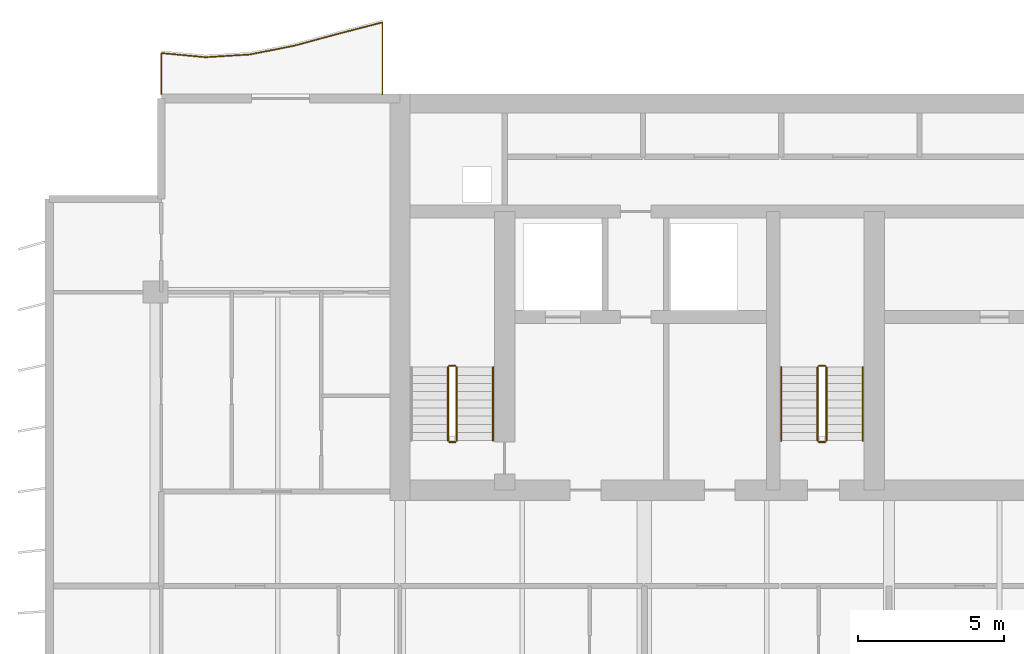
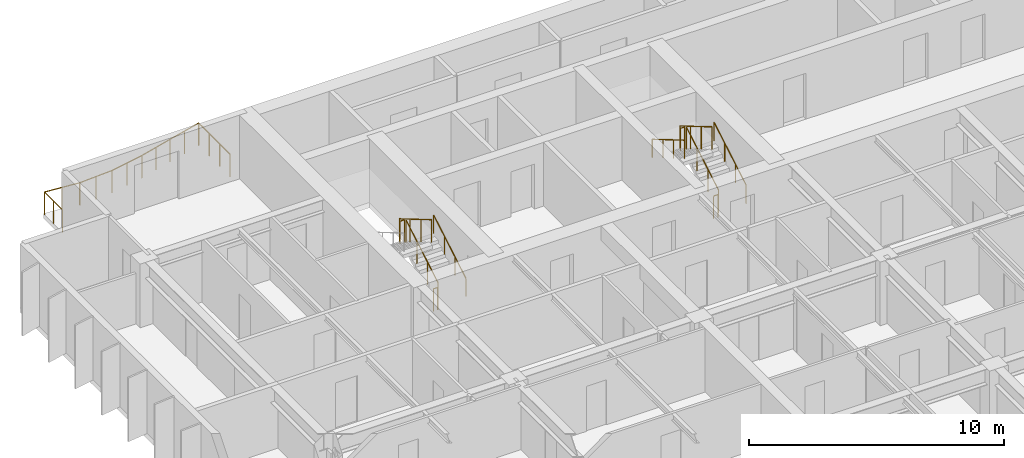
# One storey, part 16 of 18: 12 railings.
"""IFC4 building model written with IfcOpenShell, lengths in metres."""

from ifc_helpers import new_model, si_unit, direction, frame, origin, origin_2d, place, context, subcontext, project, spatial, circle, extrude, material, type_object, element, save


model = new_model("IFC4")

# Units and contexts
model_context = context("Model", 3, precision=1e-05, world=origin(), true_north=direction((0.0, 1.0)))
body_context = subcontext(model_context, "Body", "Model", "MODEL_VIEW")
ifc_project = project(units=[si_unit("LENGTHUNIT", "METRE"), si_unit("AREAUNIT", "SQUARE_METRE"), si_unit("VOLUMEUNIT", "CUBIC_METRE"), si_unit("PLANEANGLEUNIT", "RADIAN"), si_unit("MASSUNIT", "GRAM", prefix="KILO")], contexts=[model_context])

# Site, building, storey
site_placement = place(None, origin())
site = spatial("IfcSite", under=ifc_project, at=site_placement, CompositionType="ELEMENT")
building_placement = place(site_placement, origin())
building = spatial("IfcBuilding", under=site, at=building_placement, Name="Caelmar Bay Residences", CompositionType="ELEMENT")
storey_placement = place(building_placement, frame((0.0, 0.0, 170.39990234375)))
storey = spatial("IfcBuildingStorey", under=building, at=storey_placement, Name="L47", CompositionType="ELEMENT", Elevation=170.39990234375)

# Railings
ifc_material_1 = material(Name="Anodised bronze handrail with laminated hurricane glass infill", Category="glass")
railing_type_1 = type_object("IfcRailingType", Name="RL-BAL-1100", PredefinedType="BALUSTRADE", material=ifc_material_1)
railing_1_placement = place(storey_placement, frame((17.699951171875, 50.60009765625, 0.0)))
element("IfcRailing", 1, at=railing_1_placement, inside=storey, type_object=railing_type_1, Name="L47 north_west Balcony Balustrade", PredefinedType="BALUSTRADE", context=body_context, shape_type="SweptSolid", body=[
    extrude(circle(Radius=0.02392578125, at=origin_2d()), frame((0.0, 0.0, 1.076171875), z_axis=(0.0, 1.0, 0.0), x_axis=(-1.0, 0.0, 0.0)), (0.0, 0.0, 1.0), 2.4697265625),
    extrude(circle(Radius=0.02392578125, at=origin_2d()), frame((0.0, 2.4697265625, 1.076171875), z_axis=(-0.968040251218, -0.250794880375, 0.0), x_axis=(0.250794880375, -0.968040251218, 0.0)), (0.0, 0.0, 1.0), 1.5703125),
    extrude(circle(Radius=0.02392578125, at=origin_2d()), frame((-1.52001953125, 2.075927734375, 1.076171875), z_axis=(-0.965273626461, -0.261240934884, 0.0), x_axis=(0.261240934884, -0.965273626461, 0.0)), (0.0, 0.0, 1.0), 1.57470703125),
    extrude(circle(Radius=0.02392578125, at=origin_2d()), frame((-3.0400390625, 1.66455078125, 1.076171875), z_axis=(-0.981098441437, -0.193509297476, 0.0), x_axis=(0.193509297476, -0.981098441437, 0.0)), (0.0, 0.0, 1.0), 1.54931640625),
    extrude(circle(Radius=0.02392578125, at=origin_2d()), frame((-4.56005859375, 1.36474609375, 1.076171875), z_axis=(-0.998112625987, -0.061409981647, 0.0), x_axis=(0.061409981647, -0.998112625987, 0.0)), (0.0, 0.0, 1.0), 1.522705078125),
    extrude(circle(Radius=0.02392578125, at=origin_2d()), frame((-6.079833984375, 1.271240234375, 1.076171875), z_axis=(-0.995674076689, 0.092914654442, 0.0), x_axis=(-0.092914654442, -0.995674076689, 0.0)), (0.0, 0.0, 1.0), 1.526611328125),
    extrude(circle(Radius=0.02392578125, at=origin_2d()), frame((-7.599853515625, 1.4130859375, 1.076171875), z_axis=(0.0, -1.0, 0.0), x_axis=(1.0, 0.0, 0.0)), (0.0, 0.0, 1.0), 1.4130859375),
    extrude(circle(Radius=0.02099609375, at=origin_2d()), origin(), (0.0, 0.0, 1.0), 1.052001953125),
    extrude(circle(Radius=0.02099609375, at=origin_2d()), frame((0.0, 0.8232421875, 0.0)), (0.0, 0.0, 1.0), 1.052001953125),
    extrude(circle(Radius=0.02099609375, at=origin_2d()), frame((0.0, 1.646484375, 0.0)), (0.0, 0.0, 1.0), 1.052001953125),
    extrude(circle(Radius=0.02099609375, at=origin_2d()), frame((0.0, 2.4697265625, 0.0)), (0.0, 0.0, 1.0), 1.052001953125),
    extrude(circle(Radius=0.02099609375, at=origin_2d()), frame((-0.760009765625, 2.27294921875, 0.0)), (0.0, 0.0, 1.0), 1.052001953125),
    extrude(circle(Radius=0.02099609375, at=origin_2d()), frame((-1.52001953125, 2.075927734375, 0.0)), (0.0, 0.0, 1.0), 1.052001953125),
    extrude(circle(Radius=0.02099609375, at=origin_2d()), frame((-2.280029296875, 1.8701171875, 0.0)), (0.0, 0.0, 1.0), 1.052001953125),
    extrude(circle(Radius=0.02099609375, at=origin_2d()), frame((-3.0400390625, 1.66455078125, 0.0)), (0.0, 0.0, 1.0), 1.052001953125),
    extrude(circle(Radius=0.02099609375, at=origin_2d()), frame((-3.800048828125, 1.5146484375, 0.0)), (0.0, 0.0, 1.0), 1.052001953125),
    extrude(circle(Radius=0.02099609375, at=origin_2d()), frame((-4.56005859375, 1.36474609375, 0.0)), (0.0, 0.0, 1.0), 1.052001953125),
    extrude(circle(Radius=0.02099609375, at=origin_2d()), frame((-5.31982421875, 1.31787109375, 0.0)), (0.0, 0.0, 1.0), 1.052001953125),
    extrude(circle(Radius=0.02099609375, at=origin_2d()), frame((-6.079833984375, 1.271240234375, 0.0)), (0.0, 0.0, 1.0), 1.052001953125),
    extrude(circle(Radius=0.02099609375, at=origin_2d()), frame((-6.83984375, 1.34228515625, 0.0)), (0.0, 0.0, 1.0), 1.052001953125),
    extrude(circle(Radius=0.02099609375, at=origin_2d()), frame((-7.599853515625, 1.4130859375, 0.0)), (0.0, 0.0, 1.0), 1.052001953125),
    extrude(circle(Radius=0.02099609375, at=origin_2d()), frame((-7.599853515625, 0.70654296875, 0.0)), (0.0, 0.0, 1.0), 1.052001953125),
    extrude(circle(Radius=0.02099609375, at=origin_2d()), frame((-7.599853515625, 0.0, 0.0)), (0.0, 0.0, 1.0), 1.052001953125),
])
ifc_material_2 = material(Name="Painted galvanized steel stair guard 1100 mm", Category="steel")
railing_type_2 = type_object("IfcRailingType", Name="RL-GRD-1100", PredefinedType="GUARDRAIL", material=ifc_material_2)
railing_2_placement = place(storey_placement, frame((20.25, 38.699951171875, 0.1650390625)))
element("IfcRailing", 2, at=railing_2_placement, inside=storey, type_object=railing_type_2, Name="L47 ST1 stair guard 1", PredefinedType="GUARDRAIL", context=body_context, shape_type="SweptSolid", body=[
    extrude(circle(Radius=0.02392578125, at=origin_2d()), frame((0.0, 0.0, 1.076171875), z_axis=(0.0, 0.86152411907, 0.507716645641), x_axis=(-1.0, 0.0, 0.0)), (0.0, 0.0, 1.0), 2.925048828125),
    extrude(circle(Radius=0.02099609375, at=origin_2d()), origin(), (0.0, 0.0, 1.0), 1.052001953125),
    extrude(circle(Radius=0.02099609375, at=origin_2d()), frame((0.0, 0.840087890625, 0.4951171875)), (0.0, 0.0, 1.0), 1.052001953125),
    extrude(circle(Radius=0.02099609375, at=origin_2d()), frame((0.0, 1.679931640625, 0.989990234375)), (0.0, 0.0, 1.0), 1.052001953125),
    extrude(circle(Radius=0.02099609375, at=origin_2d()), frame((0.0, 2.52001953125, 1.485107421875)), (0.0, 0.0, 1.0), 1.052001953125),
])
railing_3_placement = place(storey_placement, frame((20.199951171875, 41.27001953125, 1.650146484375)))
element("IfcRailing", 3, at=railing_3_placement, inside=storey, type_object=railing_type_2, Name="L47 ST1 stair guard 2", PredefinedType="GUARDRAIL", context=body_context, shape_type="SweptSolid", body=[
    extrude(circle(Radius=0.02392578125, at=origin_2d()), frame((0.0, 0.0, 1.076171875), z_axis=(-1.0, 0.0, 0.0), x_axis=(0.0, -1.0, 0.0)), (0.0, 0.0, 1.0), 0.199951171875),
    extrude(circle(Radius=0.02099609375, at=origin_2d()), origin(), (0.0, 0.0, 1.0), 1.052001953125),
    extrude(circle(Radius=0.02099609375, at=origin_2d()), frame((-0.199951171875, 0.0, 0.0)), (0.0, 0.0, 1.0), 1.052001953125),
])
railing_4_placement = place(storey_placement, frame((19.949951171875, 41.219970703125, 1.815185546875)))
element("IfcRailing", 4, at=railing_4_placement, inside=storey, type_object=railing_type_2, Name="L47 ST1 stair guard 3", PredefinedType="GUARDRAIL", context=body_context, shape_type="SweptSolid", body=[
    extrude(circle(Radius=0.02392578125, at=origin_2d()), frame((0.0, 0.0, 1.076171875), z_axis=(0.0, -0.861560626758, 0.507654692109), x_axis=(1.0, 0.0, 0.0)), (0.0, 0.0, 1.0), 2.925048828125),
    extrude(circle(Radius=0.02099609375, at=origin_2d()), origin(), (0.0, 0.0, 1.0), 1.052001953125),
    extrude(circle(Radius=0.02099609375, at=origin_2d()), frame((0.0, -0.840087890625, 0.494873046875)), (0.0, 0.0, 1.0), 1.052001953125),
    extrude(circle(Radius=0.02099609375, at=origin_2d()), frame((0.0, -1.679931640625, 0.989990234375)), (0.0, 0.0, 1.0), 1.052001953125),
    extrude(circle(Radius=0.02099609375, at=origin_2d()), frame((0.0, -2.52001953125, 1.48486328125)), (0.0, 0.0, 1.0), 1.052001953125),
])
railing_5_placement = place(storey_placement, frame((20.199951171875, 38.64990234375, 0.0)))
element("IfcRailing", 5, at=railing_5_placement, inside=storey, type_object=railing_type_2, Name="L47 ST1 stair guard 4", PredefinedType="GUARDRAIL", context=body_context, shape_type="SweptSolid", body=[
    extrude(circle(Radius=0.02392578125, at=origin_2d()), frame((0.0, 0.0, 1.076171875), z_axis=(-1.0, 0.0, 0.0), x_axis=(0.0, -1.0, 0.0)), (0.0, 0.0, 1.0), 0.199951171875),
    extrude(circle(Radius=0.02099609375, at=origin_2d()), origin(), (0.0, 0.0, 1.0), 1.052001953125),
    extrude(circle(Radius=0.02099609375, at=origin_2d()), frame((-0.199951171875, 0.0, 0.0)), (0.0, 0.0, 1.0), 1.052001953125),
])
railing_6_placement = place(storey_placement, frame((32.949951171875, 38.699951171875, 0.1650390625)))
element("IfcRailing", 6, at=railing_6_placement, inside=storey, type_object=railing_type_2, Name="L47 ST3 stair guard 1", PredefinedType="GUARDRAIL", context=body_context, shape_type="SweptSolid", body=[
    extrude(circle(Radius=0.02392578125, at=origin_2d()), frame((0.0, 0.0, 1.076171875), z_axis=(0.0, 0.86152411907, 0.507716645641), x_axis=(-1.0, 0.0, 0.0)), (0.0, 0.0, 1.0), 2.925048828125),
    extrude(circle(Radius=0.02099609375, at=origin_2d()), origin(), (0.0, 0.0, 1.0), 1.052001953125),
    extrude(circle(Radius=0.02099609375, at=origin_2d()), frame((0.0, 0.840087890625, 0.4951171875)), (0.0, 0.0, 1.0), 1.052001953125),
    extrude(circle(Radius=0.02099609375, at=origin_2d()), frame((0.0, 1.679931640625, 0.989990234375)), (0.0, 0.0, 1.0), 1.052001953125),
    extrude(circle(Radius=0.02099609375, at=origin_2d()), frame((0.0, 2.52001953125, 1.485107421875)), (0.0, 0.0, 1.0), 1.052001953125),
])
railing_7_placement = place(storey_placement, frame((32.89990234375, 41.27001953125, 1.650146484375)))
element("IfcRailing", 7, at=railing_7_placement, inside=storey, type_object=railing_type_2, Name="L47 ST3 stair guard 2", PredefinedType="GUARDRAIL", context=body_context, shape_type="SweptSolid", body=[
    extrude(circle(Radius=0.02392578125, at=origin_2d()), frame((0.0, 0.0, 1.076171875), z_axis=(-1.0, 0.0, 0.0), x_axis=(0.0, -1.0, 0.0)), (0.0, 0.0, 1.0), 0.199951171875),
    extrude(circle(Radius=0.02099609375, at=origin_2d()), origin(), (0.0, 0.0, 1.0), 1.052001953125),
    extrude(circle(Radius=0.02099609375, at=origin_2d()), frame((-0.199951171875, 0.0, 0.0)), (0.0, 0.0, 1.0), 1.052001953125),
])
railing_8_placement = place(storey_placement, frame((32.64990234375, 41.219970703125, 1.815185546875)))
element("IfcRailing", 8, at=railing_8_placement, inside=storey, type_object=railing_type_2, Name="L47 ST3 stair guard 3", PredefinedType="GUARDRAIL", context=body_context, shape_type="SweptSolid", body=[
    extrude(circle(Radius=0.02392578125, at=origin_2d()), frame((0.0, 0.0, 1.076171875), z_axis=(0.0, -0.861560626758, 0.507654692109), x_axis=(1.0, 0.0, 0.0)), (0.0, 0.0, 1.0), 2.925048828125),
    extrude(circle(Radius=0.02099609375, at=origin_2d()), origin(), (0.0, 0.0, 1.0), 1.052001953125),
    extrude(circle(Radius=0.02099609375, at=origin_2d()), frame((0.0, -0.840087890625, 0.494873046875)), (0.0, 0.0, 1.0), 1.052001953125),
    extrude(circle(Radius=0.02099609375, at=origin_2d()), frame((0.0, -1.679931640625, 0.989990234375)), (0.0, 0.0, 1.0), 1.052001953125),
    extrude(circle(Radius=0.02099609375, at=origin_2d()), frame((0.0, -2.52001953125, 1.48486328125)), (0.0, 0.0, 1.0), 1.052001953125),
])
railing_9_placement = place(storey_placement, frame((32.89990234375, 38.64990234375, 0.0)))
element("IfcRailing", 9, at=railing_9_placement, inside=storey, type_object=railing_type_2, Name="L47 ST3 stair guard 4", PredefinedType="GUARDRAIL", context=body_context, shape_type="SweptSolid", body=[
    extrude(circle(Radius=0.02392578125, at=origin_2d()), frame((0.0, 0.0, 1.076171875), z_axis=(-1.0, 0.0, 0.0), x_axis=(0.0, -1.0, 0.0)), (0.0, 0.0, 1.0), 0.199951171875),
    extrude(circle(Radius=0.02099609375, at=origin_2d()), origin(), (0.0, 0.0, 1.0), 1.052001953125),
    extrude(circle(Radius=0.02099609375, at=origin_2d()), frame((-0.199951171875, 0.0, 0.0)), (0.0, 0.0, 1.0), 1.052001953125),
])
ifc_material_3 = material(Name="Brushed bronze stainless-steel tubular handrail 900 mm", Category="steel")
railing_type_3 = type_object("IfcRailingType", Name="RL-HND-900", PredefinedType="HANDRAIL", material=ifc_material_3)
for number, where, name in (
    (10, (21.5, 38.699951171875, 0.1650390625), "L47 ST1 stair handrail 1"),
    (11, (34.199951171875, 38.699951171875, 0.1650390625), "L47 ST3 stair handrail 1"),
):
    element("IfcRailing", number, at=place(storey_placement, frame(where)), inside=storey, type_object=railing_type_3, Name=name, PredefinedType="HANDRAIL", context=body_context, shape_type="SweptSolid", body=[
        extrude(circle(Radius=0.02392578125, at=origin_2d()), frame((0.0, 0.0, 0.8759765625), z_axis=(0.0, 0.86152411907, 0.507716645641), x_axis=(-1.0, 0.0, 0.0)), (0.0, 0.0, 1.0), 2.925048828125),
        extrude(circle(Radius=0.02099609375, at=origin_2d()), origin(), (0.0, 0.0, 1.0), 0.851806640625),
        extrude(circle(Radius=0.02099609375, at=origin_2d()), frame((0.0, 0.840087890625, 0.4951171875)), (0.0, 0.0, 1.0), 0.851806640625),
        extrude(circle(Radius=0.02099609375, at=origin_2d()), frame((0.0, 1.679931640625, 0.989990234375)), (0.0, 0.0, 1.0), 0.851806640625),
        extrude(circle(Radius=0.02099609375, at=origin_2d()), frame((0.0, 2.52001953125, 1.485107421875)), (0.0, 0.0, 1.0), 0.851806640625),
    ])
railing_10_placement = place(storey_placement, frame((31.39990234375, 41.219970703125, 1.815185546875)))
element("IfcRailing", 12, at=railing_10_placement, inside=storey, type_object=railing_type_3, Name="L47 ST3 stair handrail 2", PredefinedType="HANDRAIL", context=body_context, shape_type="SweptSolid", body=[
    extrude(circle(Radius=0.02392578125, at=origin_2d()), frame((0.0, 0.0, 0.8759765625), z_axis=(0.0, -0.861560626758, 0.507654692109), x_axis=(1.0, 0.0, 0.0)), (0.0, 0.0, 1.0), 2.925048828125),
    extrude(circle(Radius=0.02099609375, at=origin_2d()), origin(), (0.0, 0.0, 1.0), 0.851806640625),
    extrude(circle(Radius=0.02099609375, at=origin_2d()), frame((0.0, -0.840087890625, 0.494873046875)), (0.0, 0.0, 1.0), 0.851806640625),
    extrude(circle(Radius=0.02099609375, at=origin_2d()), frame((0.0, -1.679931640625, 0.989990234375)), (0.0, 0.0, 1.0), 0.851806640625),
    extrude(circle(Radius=0.02099609375, at=origin_2d()), frame((0.0, -2.52001953125, 1.48486328125)), (0.0, 0.0, 1.0), 0.851806640625),
])

save(model, "model.ifc")
